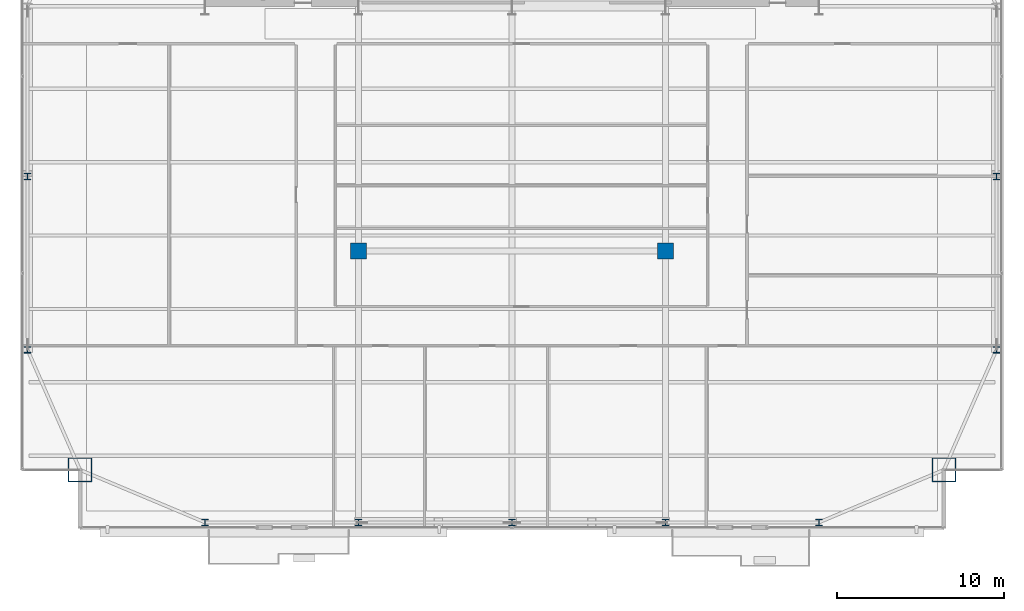
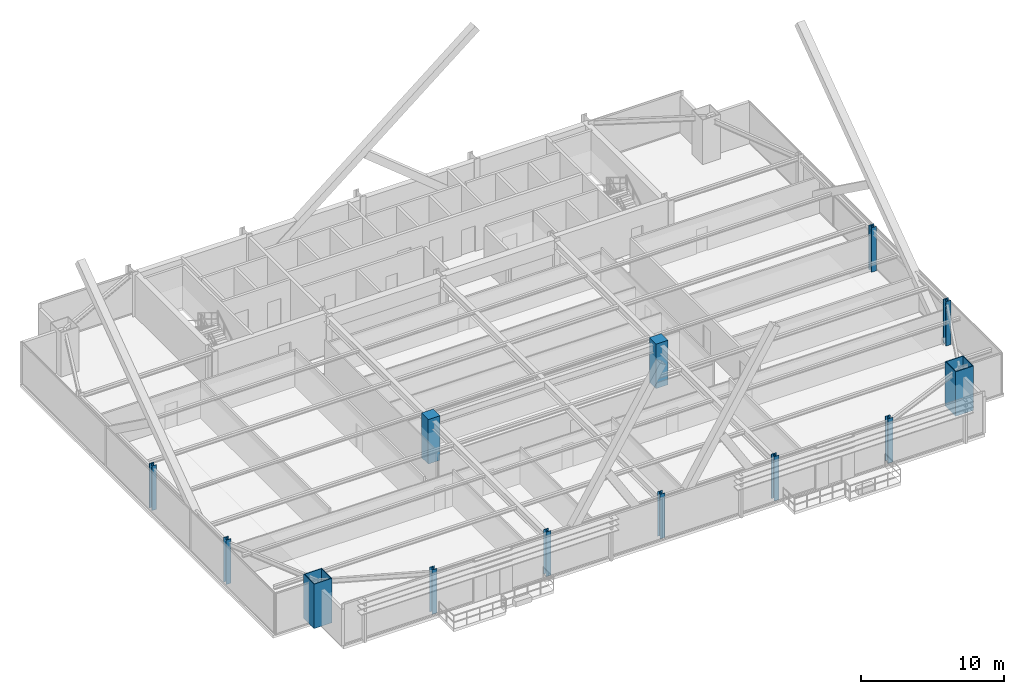
# One storey, part 1 of 37: 13 columns.
"""IFC4 building model written with IfcOpenShell, lengths in metres."""

from ifc_helpers import new_model, si_unit, direction, frame, origin, origin_2d, place, context, subcontext, project, spatial, rectangle, hollow_rectangle, i_section, extrude, source, transform, mapped, material, material_profile, profile_set, type_object, type_shapes, element, save


model = new_model("IFC4")

# Units and contexts
model_context = context("Model", 3, precision=1e-05, world=origin(), true_north=direction((0.0, 1.0)))
body_context = subcontext(model_context, "Body", "Model", "MODEL_VIEW")
ifc_project = project(units=[si_unit("LENGTHUNIT", "METRE"), si_unit("AREAUNIT", "SQUARE_METRE"), si_unit("VOLUMEUNIT", "CUBIC_METRE"), si_unit("PLANEANGLEUNIT", "RADIAN"), si_unit("MASSUNIT", "GRAM", prefix="KILO")], contexts=[model_context])

# Site, building, storey
site_placement = place(None, origin())
site = spatial("IfcSite", under=ifc_project, at=site_placement, CompositionType="ELEMENT")
building_placement = place(site_placement, origin())
building = spatial("IfcBuilding", under=site, at=building_placement, Name="Varnel Quay Broadcast Tower", CompositionType="ELEMENT")
storey_placement = place(building_placement, frame((0.0, 0.0, 103.0)))
storey = spatial("IfcBuildingStorey", under=building, at=storey_placement, Name="L24", CompositionType="ELEMENT", Elevation=103.0)

# Columns
ifc_material_1 = material(Name="Structural Steel CSA G40.21 350WT", Category="steel")
ifc_material_profile_1 = material_profile(ifc_material_1, hollow_rectangle(XDim=1.449951171875, YDim=1.449951171875, WallThickness=0.054931640625, at=origin_2d()), Name="BOX1450X1450X55")
ifc_profile_set_1 = profile_set([ifc_material_profile_1], Name="Structural Steel CSA G40.21 350WT")
column_type_1 = type_object("IfcColumnType", Name="Col_BOX1450X1450X55", PredefinedType="COLUMN", material=ifc_profile_set_1)
shared_shape_1 = source(origin(), body_context, "Body", "SweptSolid", [
    extrude(hollow_rectangle(XDim=1.449951171875, YDim=1.449951171875, WallThickness=0.054931640625, at=origin_2d()), origin(), (0.0, 0.0, 1.0), 3.800048828125),
])
type_shapes(column_type_1, [shared_shape_1])
for number, where, z_axis, x_axis, name in (
    (1, (8.10009765625, 7.800048828125, 0.0), (0.0, 0.0, 1.0), (1.0, 0.0, 0.0), "L24 Column MC-SW"),
    (2, (59.89990234375, 7.800048828125, 0.0), (0.0, 0.0, 1.0), (1.0, 0.0, 0.0), "L24 Column MC-SE"),
):
    element("IfcColumn", number, at=place(storey_placement, frame(where, z_axis=z_axis, x_axis=x_axis)), inside=storey, type_object=column_type_1, Name=name, PredefinedType="COLUMN", context=body_context, shape_type="MappedRepresentation", body=[
        mapped(shared_shape_1, transform((0.0, 0.0, 0.0), x_axis=(1.0, 0.0, 0.0), y_axis=(0.0, 1.0, 0.0), z_axis=(0.0, 0.0, 1.0), scale=1.0)),
    ])
ifc_material_2 = material(Name="Structural Steel CSA G40.21 350W", Category="steel")
ifc_material_profile_2 = material_profile(ifc_material_2, i_section(OverallWidth=0.39794921875, OverallDepth=0.386962890625, WebThickness=0.02099609375, FlangeThickness=0.033203125, FilletRadius=0.01806640625, at=origin_2d()), Name="W360X262")
ifc_profile_set_2 = profile_set([ifc_material_profile_2], Name="Structural Steel CSA G40.21 350W")
column_type_2 = type_object("IfcColumnType", Name="Col_W360X262", PredefinedType="COLUMN", material=ifc_profile_set_2)
shared_shape_2 = source(origin(), body_context, "Body", "SweptSolid", [
    extrude(i_section(OverallWidth=0.39794921875, OverallDepth=0.386962890625, WebThickness=0.02099609375, FlangeThickness=0.033203125, FilletRadius=0.01806640625, at=origin_2d()), origin(), (0.0, 0.0, 1.0), 3.800048828125),
])
type_shapes(column_type_2, [shared_shape_2])
for number, where, z_axis, x_axis, name in (
    (3, (15.60009765625, 4.64990234375, 0.0), (0.0, 0.0, 1.0), (1.0, 0.0, 0.0), "L24 Column TC-S1"),
    (4, (24.800048828125, 4.64990234375, 0.0), (0.0, 0.0, 1.0), (1.0, 0.0, 0.0), "L24 Column TC-S2"),
    (5, (34.0, 4.64990234375, 0.0), (0.0, 0.0, 1.0), (1.0, 0.0, 0.0), "L24 Column TC-S3"),
    (6, (43.199951171875, 4.64990234375, 0.0), (0.0, 0.0, 1.0), (1.0, 0.0, 0.0), "L24 Column TC-S4"),
    (7, (52.39990234375, 4.64990234375, 0.0), (0.0, 0.0, 1.0), (1.0, 0.0, 0.0), "L24 Column TC-S5"),
    (8, (4.949951171875, 15.0, 0.0), (0.0, 0.0, 1.0), (1.0, 0.0, 0.0), "L24 Column TC-W1"),
    (9, (63.050048828125, 15.0, 0.0), (0.0, 0.0, 1.0), (1.0, 0.0, 0.0), "L24 Column TC-E1"),
    (10, (4.949951171875, 25.39990234375, 0.0), (0.0, 0.0, 1.0), (1.0, 0.0, 0.0), "L24 Column TC-W2"),
    (11, (63.050048828125, 25.39990234375, 0.0), (0.0, 0.0, 1.0), (1.0, 0.0, 0.0), "L24 Column TC-E2"),
):
    element("IfcColumn", number, at=place(storey_placement, frame(where, z_axis=z_axis, x_axis=x_axis)), inside=storey, type_object=column_type_2, Name=name, PredefinedType="COLUMN", context=body_context, shape_type="MappedRepresentation", body=[
        mapped(shared_shape_2, transform((0.0, 0.0, 0.0), x_axis=(1.0, 0.0, 0.0), y_axis=(0.0, 1.0, 0.0), z_axis=(0.0, 0.0, 1.0), scale=1.0)),
    ])
ifc_material_3 = material(Name="Concrete CSA A23.3 C50/60", Category="concrete")
ifc_material_profile_3 = material_profile(ifc_material_3, rectangle(XDim=0.949951171875, YDim=0.949951171875, at=origin_2d()), Name="RC950X950")
ifc_profile_set_3 = profile_set([ifc_material_profile_3], Name="Concrete CSA A23.3 C50/60")
column_type_3 = type_object("IfcColumnType", Name="Col_RC950X950", PredefinedType="COLUMN", material=ifc_profile_set_3)
shared_shape_3 = source(origin(), body_context, "Body", "SweptSolid", [
    extrude(rectangle(XDim=0.949951171875, YDim=0.949951171875, at=origin_2d()), origin(), (0.0, 0.0, 1.0), 3.800048828125),
])
type_shapes(column_type_3, [shared_shape_3])
for number, where, z_axis, x_axis, name in (
    (12, (24.800048828125, 20.929931640625, 0.0), (0.0, 0.0, 1.0), (1.0, 0.0, 0.0), "L24 Column IC-01"),
    (13, (43.199951171875, 20.929931640625, 0.0), (0.0, 0.0, 1.0), (1.0, 0.0, 0.0), "L24 Column IC-02"),
):
    element("IfcColumn", number, at=place(storey_placement, frame(where, z_axis=z_axis, x_axis=x_axis)), inside=storey, type_object=column_type_3, Name=name, PredefinedType="COLUMN", context=body_context, shape_type="MappedRepresentation", body=[
        mapped(shared_shape_3, transform((0.0, 0.0, 0.0), x_axis=(1.0, 0.0, 0.0), y_axis=(0.0, 1.0, 0.0), z_axis=(0.0, 0.0, 1.0), scale=1.0)),
    ])

save(model, "model.ifc")
